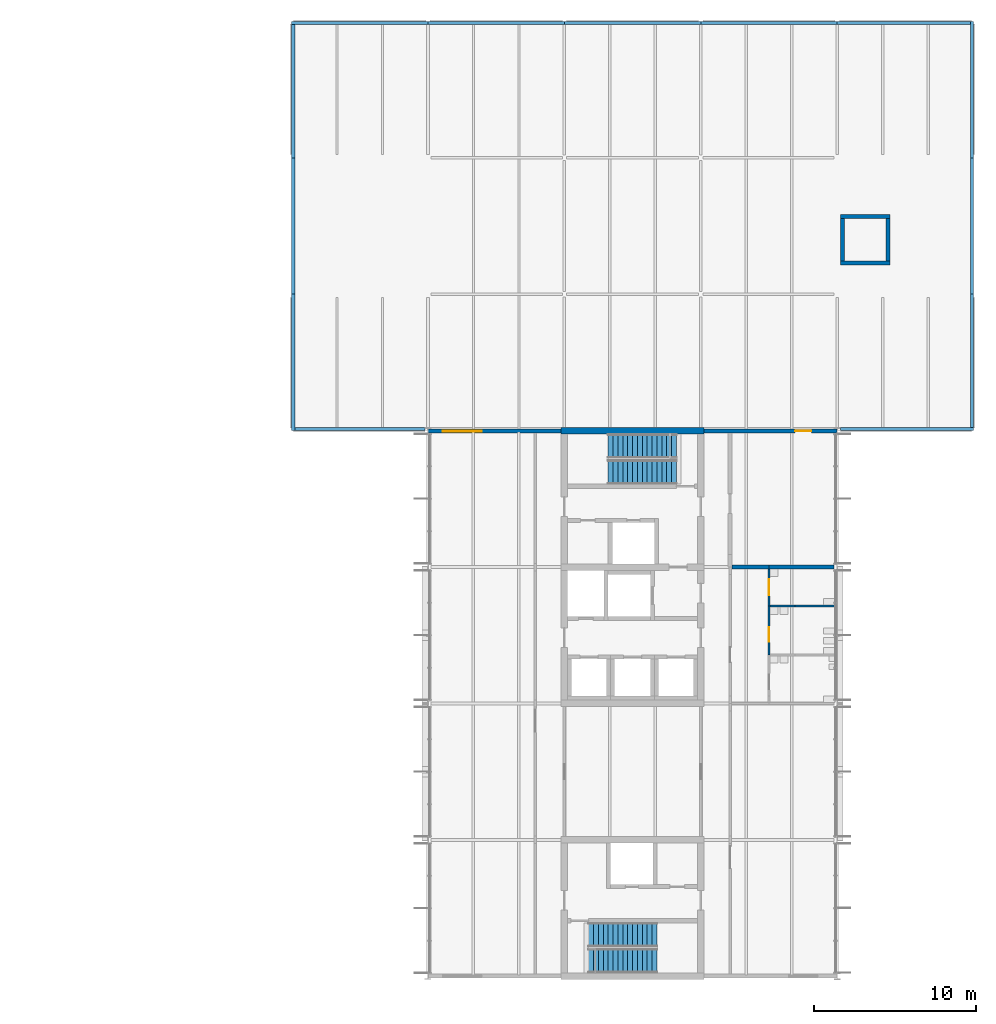
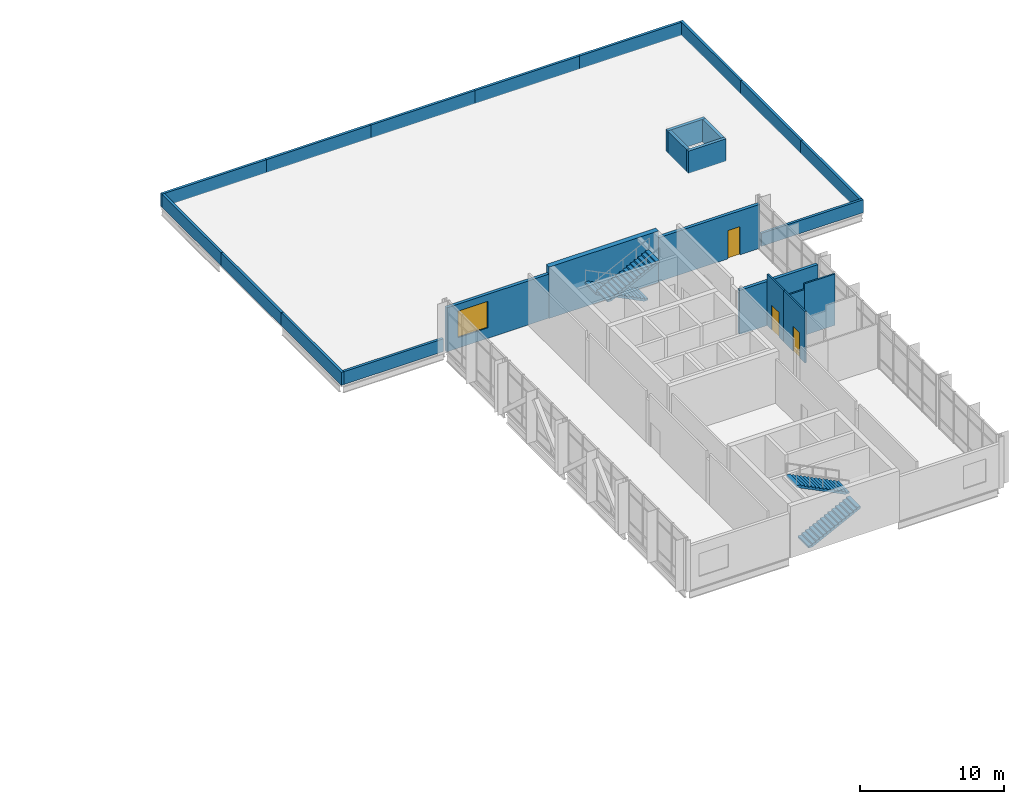
# One storey, part 18 of 26: 26 walls, 4 stair flights, 3 doors, 1 window, 4 openings, 2 elements without a shape of their own.
"""IFC4 building model written with IfcOpenShell, lengths in metres."""

from ifc_helpers import new_model, si_unit, direction, frame, frame_2d, origin, place, context, subcontext, project, spatial, polyline, rectangle, outline, extrude, material, layer, layer_set, type_object, element, fill, aggregate, save


model = new_model("IFC4")

# Units and contexts
model_context = context("Model", 3, precision=1e-05, world=origin(), true_north=direction((0.0, 1.0)))
body_context = subcontext(model_context, "Body", "Model", "MODEL_VIEW")
ifc_project = project(units=[si_unit("LENGTHUNIT", "METRE"), si_unit("AREAUNIT", "SQUARE_METRE"), si_unit("VOLUMEUNIT", "CUBIC_METRE"), si_unit("PLANEANGLEUNIT", "RADIAN"), si_unit("MASSUNIT", "GRAM", prefix="KILO")], contexts=[model_context])

# Site, building, storey
site_placement = place(None, origin())
site = spatial("IfcSite", under=ifc_project, at=site_placement, CompositionType="ELEMENT")
building_placement = place(site_placement, origin())
building = spatial("IfcBuilding", under=site, at=building_placement, Name="Hlaing Beacon Police Headquarters", CompositionType="ELEMENT")
storey_placement = place(building_placement, frame((0.0, 0.0, 23.39990234375)))
storey = spatial("IfcBuildingStorey", under=building, at=storey_placement, Name="L05", CompositionType="ELEMENT", Elevation=23.39990234375)

# Walls
ifc_material_1 = material(Name="Concrete C60/75", Category="concrete")
ifc_layer_1 = layer(ifc_material_1, 0.39990234375)
ifc_layer_set_1 = layer_set([ifc_layer_1], Name="Concrete C60/75")
wall_type_1 = type_object("IfcWallType", Name="Core shear wall 400", PredefinedType="SHEAR", material=ifc_layer_set_1)
wall_1_placement = place(storey_placement, frame((109.0, 67.199951171875, 0.0), z_axis=(0.0, 0.0, 1.0), x_axis=(1.0, 0.0, 0.0)))
element("IfcWall", 1, at=wall_1_placement, inside=storey, type_object=wall_type_1, Name="Core shear wall", PredefinedType="SHEAR", context=body_context, shape_type="SweptSolid", body=[
    extrude(rectangle(XDim=8.800048828125, YDim=0.39990234375, at=frame_2d((4.39990234375, 0.0))), origin(), (0.0, 0.0, 1.0), 4.3701171875),
])
ifc_material_2 = material(Name="Gypsum board partition")
ifc_layer_2 = layer(ifc_material_2, 0.125)
ifc_layer_set_2 = layer_set([ifc_layer_2], Name="Gypsum board partition")
wall_type_2 = type_object("IfcWallType", Name="Partition 125", PredefinedType="PARTITIONING", material=ifc_layer_set_2)
wall_2_placement = place(storey_placement, frame((121.862060546875, 56.39990234375, 0.0), z_axis=(0.0, 0.0, 1.0), x_axis=(1.0, 0.0, 0.0)))
element("IfcWall", 2, at=wall_2_placement, inside=storey, type_object=wall_type_2, Name="Partition 125", PredefinedType="PARTITIONING", context=body_context, shape_type="SweptSolid", body=[
    extrude(rectangle(XDim=1.530029296875, YDim=0.125, at=frame_2d((0.76513671875, 0.0))), origin(), (0.0, 0.0, 1.0), 3.89501953125),
])
wall_3_placement = place(storey_placement, frame((123.39208984375, 56.39990234375, 0.0), z_axis=(0.0, 0.0, 1.0), x_axis=(1.0, 0.0, 0.0)))
element("IfcWall", 3, at=wall_3_placement, inside=storey, type_object=wall_type_2, Name="Partition 125", PredefinedType="PARTITIONING", context=body_context, shape_type="SweptSolid", body=[
    extrude(rectangle(XDim=2.4580078125, YDim=0.125, at=frame_2d((1.22900390625, 0.0))), origin(), (0.0, 0.0, 1.0), 4.3701171875),
])

# Wall, opening, door
wall_4_placement = place(storey_placement, frame((121.800048828125, 56.39990234375, 0.0), z_axis=(0.0, 0.0, 1.0), x_axis=(0.0, 1.0, 0.0)))
wall_4 = element("IfcWall", 4, at=wall_4_placement, inside=storey, type_object=wall_type_2, Name="Partition 125", PredefinedType="PARTITIONING", context=body_context, shape_type="SweptSolid", body=[
    extrude(rectangle(XDim=2.275146484375, YDim=0.125, at=frame_2d((1.1376953125, 0.0))), origin(), (0.0, 0.0, 1.0), 4.3701171875),
])
opening_1_placement = place(wall_4_placement, frame((0.64990234375, 0.0, 0.0)))
opening_1 = element("IfcOpeningElement", 5, at=opening_1_placement, cuts=wall_4, Name="Opening L05-002", PredefinedType="OPENING", context=body_context, shape_type="SweptSolid", body=[
    extrude(rectangle(XDim=1.0, YDim=2.10009765625, at=frame_2d((0.5, 1.050048828125))), frame((0.0, 0.072509765625, 0.0), z_axis=(0.0, -1.0, 0.0), x_axis=(1.0, 0.0, 0.0)), (0.0, 0.0, 1.0), 0.14501953125),
])
ifc_material_3 = material(Name="Hardwood door leaf", Category="wood")
ifc_layer_3 = layer(ifc_material_3, 0.0400390625)
ifc_layer_set_3 = layer_set([ifc_layer_3], Name="Hardwood door leaf")
door_type_1 = type_object("IfcDoorType", Name="Door 1000x2100", OperationType="SINGLE_SWING_LEFT", PredefinedType="DOOR", material=ifc_layer_set_3)
door_1_placement = place(opening_1_placement, frame((1.0, 0.0, 0.0), z_axis=(0.0, 0.0, 1.0), x_axis=(-1.0, 0.0, 0.0)))
door_1 = element("IfcDoor", 6, at=door_1_placement, inside=storey, type_object=door_type_1, Name="Door Accessible WC", OperationType="SINGLE_SWING_LEFT", OverallHeight=2.10009765625, OverallWidth=1.0, PredefinedType="DOOR", context=body_context, shape_type="SweptSolid", body=[
    extrude(rectangle(XDim=1.0, YDim=2.10009765625, at=frame_2d((0.5, 1.050048828125))), frame((0.0, 0.02001953125, 0.0), z_axis=(0.0, -1.0, 0.0), x_axis=(1.0, 0.0, 0.0)), (0.0, 0.0, 1.0), 0.0400390625),
])
fill(opening_1, door_1)

wall_5_placement = place(storey_placement, frame((121.800048828125, 53.39990234375, 0.0), z_axis=(0.0, 0.0, 1.0), x_axis=(0.0, 1.0, 0.0)))
wall_5 = element("IfcWall", 7, at=wall_5_placement, inside=storey, type_object=wall_type_2, Name="Partition 125", PredefinedType="PARTITIONING", context=body_context, shape_type="SweptSolid", body=[
    extrude(rectangle(XDim=3.0, YDim=0.125, at=frame_2d((1.5, 0.0))), origin(), (0.0, 0.0, 1.0), 4.3701171875),
])
opening_2_placement = place(wall_5_placement, frame((0.800048828125, 0.0, 0.0)))
opening_2 = element("IfcOpeningElement", 8, at=opening_2_placement, cuts=wall_5, Name="Opening L05-003", PredefinedType="OPENING", context=body_context, shape_type="SweptSolid", body=[
    extrude(rectangle(XDim=0.89990234375, YDim=2.10009765625, at=frame_2d((0.449951171875, 1.050048828125))), frame((0.0, 0.072509765625, 0.0), z_axis=(0.0, -1.0, 0.0), x_axis=(1.0, 0.0, 0.0)), (0.0, 0.0, 1.0), 0.14501953125),
])
ifc_material_4 = material(Name="Hardwood door leaf", Category="wood")
ifc_layer_4 = layer(ifc_material_4, 0.0400390625)
ifc_layer_set_4 = layer_set([ifc_layer_4], Name="Hardwood door leaf")
door_type_2 = type_object("IfcDoorType", Name="Door 900x2100", OperationType="SINGLE_SWING_LEFT", PredefinedType="DOOR", material=ifc_layer_set_4)
door_2_placement = place(opening_2_placement, frame((0.89990234375, 0.0, 0.0), z_axis=(0.0, 0.0, 1.0), x_axis=(-1.0, 0.0, 0.0)))
door_2 = element("IfcDoor", 9, at=door_2_placement, inside=storey, type_object=door_type_2, Name="Door Female WC", OperationType="SINGLE_SWING_LEFT", OverallHeight=2.10009765625, OverallWidth=0.89990234375, PredefinedType="DOOR", context=body_context, shape_type="SweptSolid", body=[
    extrude(rectangle(XDim=0.89990234375, YDim=2.10009765625, at=frame_2d((0.449951171875, 1.050048828125))), frame((0.0, 0.02001953125, 0.0), z_axis=(0.0, -1.0, 0.0), x_axis=(1.0, 0.0, 0.0)), (0.0, 0.0, 1.0), 0.0400390625),
])
fill(opening_2, door_2)

# Walls
ifc_material_5 = material(Name="Concrete blockwork 7.5 N/mm2", Category="masonry")
ifc_layer_5 = layer(ifc_material_5, 0.25)
ifc_layer_set_5 = layer_set([ifc_layer_5], Name="Concrete blockwork 7.5 N/mm2")
wall_type_3 = type_object("IfcWallType", Name="Plant room wall EI 120 250", PredefinedType="PARTITIONING", material=ifc_layer_set_5)
wall_6_placement = place(storey_placement, frame((121.800048828125, 58.800048828125, 0.0), z_axis=(0.0, 0.0, 1.0), x_axis=(1.0, 0.0, 0.0)))
element("IfcWall", 10, at=wall_6_placement, inside=storey, type_object=wall_type_3, Name="Plant room wall EI 120 250", PredefinedType="PARTITIONING", context=body_context, shape_type="SweptSolid", body=[
    extrude(rectangle(XDim=4.013916015625, YDim=0.25, at=frame_2d((2.0068359375, 0.0))), origin(), (0.0, 0.0, 1.0), 3.74609375),
])
wall_7_placement = place(storey_placement, frame((119.52490234375, 58.800048828125, 0.0), z_axis=(0.0, 0.0, 1.0), x_axis=(1.0, 0.0, 0.0)))
element("IfcWall", 11, at=wall_7_placement, inside=storey, type_object=wall_type_3, Name="Plant room wall EI 120 250", PredefinedType="PARTITIONING", context=body_context, shape_type="SweptSolid", body=[
    extrude(rectangle(XDim=2.275146484375, YDim=0.25, at=frame_2d((1.1376953125, 0.0))), origin(), (0.0, 0.0, 1.0), 3.74609375),
])

# Wall, opening, door
ifc_material_6 = material(Name="Concrete C40/50 precast ribbed cladding", Category="concrete")
ifc_layer_6 = layer(ifc_material_6, 0.25)
ifc_layer_set_6 = layer_set([ifc_layer_6], Name="Concrete C40/50 precast ribbed cladding")
wall_type_4 = type_object("IfcWallType", Name="Precast ribbed wall 250", PredefinedType="SOLIDWALL", material=ifc_layer_set_6)
wall_8_placement = place(storey_placement, frame((125.99658203125, 67.175048828125, 0.0), z_axis=(0.0, 0.0, 1.0), x_axis=(-1.0, 0.0, 0.0)))
wall_8 = element("IfcWall", 12, at=wall_8_placement, inside=storey, type_object=wall_type_4, Name="External wall L05 N015", PredefinedType="SOLIDWALL", context=body_context, shape_type="SweptSolid", body=[
    extrude(rectangle(XDim=8.196533203125, YDim=0.25, at=frame_2d((4.09814453125, 0.0))), origin(), (0.0, 0.0, 1.0), 3.74609375),
])
opening_3_placement = place(wall_8_placement, frame((1.5966796875, 0.0, 0.0)))
opening_3 = element("IfcOpeningElement", 13, at=opening_3_placement, cuts=wall_8, Name="Opening L05-801", PredefinedType="OPENING", context=body_context, shape_type="SweptSolid", body=[
    extrude(rectangle(XDim=1.0, YDim=2.39990234375, at=frame_2d((0.5, 1.199951171875))), frame((0.0, 0.135009765625, 0.0), z_axis=(0.0, -1.0, 0.0), x_axis=(1.0, 0.0, 0.0)), (0.0, 0.0, 1.0), 0.27001953125),
])
ifc_material_7 = material(Name="Steel door", Category="steel")
door_type_3 = type_object("IfcDoorType", Name="Door 1000x2400", OperationType="SINGLE_SWING_LEFT", PredefinedType="DOOR", material=ifc_material_7)
door_3_placement = place(opening_3_placement, frame((1.0, 0.0, 0.0), z_axis=(0.0, 0.0, 1.0), x_axis=(-1.0, 0.0, 0.0)))
door_3 = element("IfcDoor", 14, at=door_3_placement, inside=storey, type_object=door_type_3, Name="Door Operations Plant Room", OperationType="SINGLE_SWING_LEFT", OverallHeight=2.39990234375, OverallWidth=1.0, PredefinedType="DOOR", context=body_context, shape_type="SweptSolid", body=[
    extrude(rectangle(XDim=1.0, YDim=2.39990234375, at=frame_2d((0.5, 1.199951171875))), frame((0.0, 0.025146484375, 0.0), z_axis=(0.0, -1.0, 0.0), x_axis=(1.0, 0.0, 0.0)), (0.0, 0.0, 1.0), 0.050048828125),
])
fill(opening_3, door_3)

# Wall, opening, window
wall_9_placement = place(storey_placement, frame((109.0, 67.175048828125, 0.0), z_axis=(0.0, 0.0, 1.0), x_axis=(-1.0, 0.0, 0.0)))
wall_9 = element("IfcWall", 15, at=wall_9_placement, inside=storey, type_object=wall_type_4, Name="External wall L05 N016", PredefinedType="SOLIDWALL", context=body_context, shape_type="SweptSolid", body=[
    extrude(rectangle(XDim=8.196533203125, YDim=0.25, at=frame_2d((4.09814453125, 0.0))), origin(), (0.0, 0.0, 1.0), 3.74609375),
])
opening_4_placement = place(wall_9_placement, frame((4.89990234375, 0.0, 0.89990234375)))
opening_4 = element("IfcOpeningElement", 16, at=opening_4_placement, cuts=wall_9, Name="Opening WN38", PredefinedType="OPENING", context=body_context, shape_type="SweptSolid", body=[
    extrude(rectangle(XDim=2.39990234375, YDim=2.25, at=frame_2d((1.199951171875, 1.125))), frame((0.0, 0.135009765625, 0.0), z_axis=(0.0, -1.0, 0.0), x_axis=(1.0, 0.0, 0.0)), (0.0, 0.0, 1.0), 0.27001953125),
])
ifc_material_8 = material(Name="Aluminium frame with solar control glazing", Category="aluminium")
window_type = type_object("IfcWindowType", Name="Window 2400x2250 frame 60", PartitioningType="SINGLE_PANEL", PredefinedType="WINDOW", material=ifc_material_8)
window_placement = place(opening_4_placement, origin())
window = element("IfcWindow", 17, at=window_placement, inside=storey, type_object=window_type, Name="Window L05 WA", OverallHeight=2.25, OverallWidth=2.39990234375, PartitioningType="SINGLE_PANEL", PredefinedType="WINDOW", context=body_context, shape_type="SweptSolid", body=[
    extrude(rectangle(XDim=2.39990234375, YDim=2.25, at=frame_2d((1.199951171875, 1.125))), frame((0.0, 0.030029296875, 0.0), z_axis=(0.0, -1.0, 0.0), x_axis=(1.0, 0.0, 0.0)), (0.0, 0.0, 1.0), 0.06005859375),
])
fill(opening_4, window)

# Walls
ifc_material_9 = material(Name="Concrete C40/50", Category="concrete")
ifc_layer_7 = layer(ifc_material_9, 0.199951171875)
ifc_layer_set_7 = layer_set([ifc_layer_7], Name="Concrete C40/50")
wall_type_5 = type_object("IfcWallType", Name="Roof parapet 200", PredefinedType="PARAPET", material=ifc_layer_set_7)
wall_10_placement = place(storey_placement, frame((134.300048828125, 67.39990234375, 0.0), z_axis=(0.0, 0.0, 1.0), x_axis=(0.0, 1.0, 0.0)))
element("IfcWall", 18, at=wall_10_placement, inside=storey, type_object=wall_type_5, Name="Roof parapet V7 0", PredefinedType="PARAPET", context=body_context, shape_type="SweptSolid", body=[
    extrude(rectangle(XDim=8.2001953125, YDim=0.199951171875, at=frame_2d((4.10009765625, 0.0))), origin(), (0.0, 0.0, 1.0), 1.10009765625),
])
for number, where, z_axis, x_axis, name in (
    (19, (134.300048828125, 75.60009765625, 0.0), (0.0, 0.0, 1.0), (0.0, 1.0, 0.0), "Roof parapet V7 1"),
    (20, (134.300048828125, 84.0, 0.0), (0.0, 0.0, 1.0), (0.0, 1.0, 0.0), "Roof parapet V7 2"),
):
    element("IfcWall", number, at=place(storey_placement, frame(where, z_axis=z_axis, x_axis=x_axis)), inside=storey, type_object=wall_type_5, Name=name, PredefinedType="PARAPET", context=body_context, shape_type="SweptSolid", body=[
        extrude(rectangle(XDim=8.39990234375, YDim=0.199951171875, at=frame_2d((4.199951171875, 0.0))), origin(), (0.0, 0.0, 1.0), 1.10009765625),
    ])
wall_11_placement = place(storey_placement, frame((134.199951171875, 92.300048828125, 0.0), z_axis=(0.0, 0.0, 1.0), x_axis=(-1.0, 0.0, 0.0)))
element("IfcWall", 21, at=wall_11_placement, inside=storey, type_object=wall_type_5, Name="Roof parapet V7 3", PredefinedType="PARAPET", context=body_context, shape_type="SweptSolid", body=[
    extrude(rectangle(XDim=8.199951171875, YDim=0.199951171875, at=frame_2d((4.10009765625, 0.0))), origin(), (0.0, 0.0, 1.0), 1.10009765625),
])
wall_12_placement = place(storey_placement, frame((126.0, 92.300048828125, 0.0), z_axis=(0.0, 0.0, 1.0), x_axis=(-1.0, 0.0, 0.0)))
element("IfcWall", 22, at=wall_12_placement, inside=storey, type_object=wall_type_5, Name="Roof parapet V7 4", PredefinedType="PARAPET", context=body_context, shape_type="SweptSolid", body=[
    extrude(rectangle(XDim=8.39990234375, YDim=0.199951171875, at=frame_2d((4.199951171875, 0.0))), origin(), (0.0, 0.0, 1.0), 1.10009765625),
])
wall_13_placement = place(storey_placement, frame((117.60009765625, 92.300048828125, 0.0), z_axis=(0.0, 0.0, 1.0), x_axis=(-1.0, 0.0, 0.0)))
element("IfcWall", 23, at=wall_13_placement, inside=storey, type_object=wall_type_5, Name="Roof parapet V7 5", PredefinedType="PARAPET", context=body_context, shape_type="SweptSolid", body=[
    extrude(rectangle(XDim=8.400146484375, YDim=0.199951171875, at=frame_2d((4.2001953125, 0.0))), origin(), (0.0, 0.0, 1.0), 1.10009765625),
])
wall_14_placement = place(storey_placement, frame((109.199951171875, 92.300048828125, 0.0), z_axis=(0.0, 0.0, 1.0), x_axis=(-1.0, 0.0, 0.0)))
element("IfcWall", 24, at=wall_14_placement, inside=storey, type_object=wall_type_5, Name="Roof parapet V7 6", PredefinedType="PARAPET", context=body_context, shape_type="SweptSolid", body=[
    extrude(rectangle(XDim=8.39990234375, YDim=0.199951171875, at=frame_2d((4.199951171875, 0.0))), origin(), (0.0, 0.0, 1.0), 1.10009765625),
])
wall_15_placement = place(storey_placement, frame((100.800048828125, 92.300048828125, 0.0), z_axis=(0.0, 0.0, 1.0), x_axis=(-1.0, 0.0, 0.0)))
element("IfcWall", 25, at=wall_15_placement, inside=storey, type_object=wall_type_5, Name="Roof parapet V7 7", PredefinedType="PARAPET", context=body_context, shape_type="SweptSolid", body=[
    extrude(rectangle(XDim=8.400146484375, YDim=0.199951171875, at=frame_2d((4.2001953125, 0.0))), origin(), (0.0, 0.0, 1.0), 1.10009765625),
])
wall_16_placement = place(storey_placement, frame((92.5, 92.199951171875, 0.0), z_axis=(0.0, 0.0, 1.0), x_axis=(0.0, -1.0, 0.0)))
element("IfcWall", 26, at=wall_16_placement, inside=storey, type_object=wall_type_5, Name="Roof parapet V7 8", PredefinedType="PARAPET", context=body_context, shape_type="SweptSolid", body=[
    extrude(rectangle(XDim=8.199951171875, YDim=0.199951171875, at=frame_2d((4.10009765625, 0.0))), origin(), (0.0, 0.0, 1.0), 1.10009765625),
])
wall_17_placement = place(storey_placement, frame((92.5, 84.0, 0.0), z_axis=(0.0, 0.0, 1.0), x_axis=(0.0, -1.0, 0.0)))
element("IfcWall", 27, at=wall_17_placement, inside=storey, type_object=wall_type_5, Name="Roof parapet V7 9", PredefinedType="PARAPET", context=body_context, shape_type="SweptSolid", body=[
    extrude(rectangle(XDim=8.39990234375, YDim=0.199951171875, at=frame_2d((4.199951171875, 0.0))), origin(), (0.0, 0.0, 1.0), 1.10009765625),
])
wall_18_placement = place(storey_placement, frame((92.5, 75.60009765625, 0.0), z_axis=(0.0, 0.0, 1.0), x_axis=(0.0, -1.0, 0.0)))
element("IfcWall", 28, at=wall_18_placement, inside=storey, type_object=wall_type_5, Name="Roof parapet V7 10", PredefinedType="PARAPET", context=body_context, shape_type="SweptSolid", body=[
    extrude(rectangle(XDim=8.400146484375, YDim=0.199951171875, at=frame_2d((4.2001953125, 0.0))), origin(), (0.0, 0.0, 1.0), 1.10009765625),
])
wall_19_placement = place(storey_placement, frame((92.60009765625, 67.300048828125, 0.0), z_axis=(0.0, 0.0, 1.0), x_axis=(1.0, 0.0, 0.0)))
element("IfcWall", 29, at=wall_19_placement, inside=storey, type_object=wall_type_5, Name="Roof parapet V7 11", PredefinedType="PARAPET", context=body_context, shape_type="SweptSolid", body=[
    extrude(rectangle(XDim=8.014404296875, YDim=0.199951171875, at=frame_2d((4.00732421875, 0.0))), origin(), (0.0, 0.0, 1.0), 1.10009765625),
])
wall_20_placement = place(storey_placement, frame((126.185302734375, 67.300048828125, 0.0), z_axis=(0.0, 0.0, 1.0), x_axis=(1.0, 0.0, 0.0)))
element("IfcWall", 30, at=wall_20_placement, inside=storey, type_object=wall_type_5, Name="Roof parapet V7 12", PredefinedType="PARAPET", context=body_context, shape_type="SweptSolid", body=[
    extrude(rectangle(XDim=8.214599609375, YDim=0.199951171875, at=frame_2d((4.107421875, 0.0))), origin(), (0.0, 0.0, 1.0), 1.10009765625),
])
ifc_material_10 = material(Name="Concrete C40/50", Category="concrete")
ifc_layer_8 = layer(ifc_material_10, 0.25)
ifc_layer_set_8 = layer_set([ifc_layer_8], Name="Concrete C40/50")
wall_type_6 = type_object("IfcWallType", Name="Shaft wall 250", PredefinedType="SOLIDWALL", material=ifc_layer_set_8)
wall_21_placement = place(storey_placement, frame((129.125, 77.64990234375, 0.0), z_axis=(0.0, 0.0, 1.0), x_axis=(0.0, 1.0, 0.0)))
element("IfcWall", 31, at=wall_21_placement, inside=storey, type_object=wall_type_6, Name="Lift overrun wall", PredefinedType="SOLIDWALL", context=body_context, shape_type="SweptSolid", body=[
    extrude(rectangle(XDim=2.60009765625, YDim=0.25, at=frame_2d((1.300048828125, 0.0))), origin(), (0.0, 0.0, 1.0), 1.900146484375),
])
for number, where, z_axis, x_axis, name in (
    (32, (126.199951171875, 80.375, 0.0), (0.0, 0.0, 1.0), (1.0, 0.0, 0.0), "Lift overrun wall"),
    (33, (126.199951171875, 77.52490234375, 0.0), (0.0, 0.0, 1.0), (1.0, 0.0, 0.0), "Lift overrun wall"),
):
    element("IfcWall", number, at=place(storey_placement, frame(where, z_axis=z_axis, x_axis=x_axis)), inside=storey, type_object=wall_type_6, Name=name, PredefinedType="SOLIDWALL", context=body_context, shape_type="SweptSolid", body=[
        extrude(rectangle(XDim=3.050048828125, YDim=0.25, at=frame_2d((1.52490234375, 0.0))), origin(), (0.0, 0.0, 1.0), 1.900146484375),
    ])
wall_22_placement = place(storey_placement, frame((126.324951171875, 77.64990234375, 0.0), z_axis=(0.0, 0.0, 1.0), x_axis=(0.0, 1.0, 0.0)))
element("IfcWall", 34, at=wall_22_placement, inside=storey, type_object=wall_type_6, Name="Lift overrun wall", PredefinedType="SOLIDWALL", context=body_context, shape_type="SweptSolid", body=[
    extrude(rectangle(XDim=2.60009765625, YDim=0.25, at=frame_2d((1.300048828125, 0.0))), origin(), (0.0, 0.0, 1.0), 1.900146484375),
])

# Stair, stair flights
ifc_material_11 = material(Name="Concrete C40/50", Category="concrete")
stair_type = type_object("IfcStairType", Name="Half-turn stair 1500 wide, 4500 rise", PredefinedType="HALF_TURN_STAIR", material=ifc_material_11)
stair_1_placement = place(storey_placement, origin())
stair_1 = element("IfcStair", 35, at=stair_1_placement, inside=storey, type_object=stair_type, Name="Stair ST-M", PredefinedType="HALF_TURN_STAIR")
ifc_material_12 = material(Name="Concrete C40/50", Category="concrete")
stair_flight_type = type_object("IfcStairFlightType", Name="Stair flight 1500 wide, 15 risers", PredefinedType="STRAIGHT", material=ifc_material_12)
stair_flight_1_placement = place(storey_placement, frame((116.10009765625, 66.25, 0.0), z_axis=(0.0, 0.0, 1.0), x_axis=(-1.0, 0.0, 0.0)))
stair_flight_1 = element("IfcStairFlight", 36, at=stair_flight_1_placement, type_object=stair_flight_type, Name="ST-M flight 1", NumberOfRisers=15, NumberOfTreads=14, PredefinedType="STRAIGHT", RiserHeight=0.15, TreadLength=0.3, context=body_context, shape_type="SweptSolid", body=[
    extrude(outline(polyline([(0.0, 0.0), (0.0, 0.14990234375), (0.300048828125, 0.14990234375), (0.300048828125, 0.300048828125), (0.60009765625, 0.300048828125), (0.60009765625, 0.449951171875), (0.89990234375, 0.449951171875), (0.89990234375, 0.60009765625), (1.199951171875, 0.60009765625), (1.199951171875, 0.75), (1.5, 0.75), (1.5, 0.89990234375), (1.800048828125, 0.89990234375), (1.800048828125, 1.050048828125), (2.10009765625, 1.050048828125), (2.10009765625, 1.199951171875), (2.39990234375, 1.199951171875), (2.39990234375, 1.35009765625), (2.699951171875, 1.35009765625), (2.699951171875, 1.5), (3.0, 1.5), (3.0, 1.64990234375), (3.300048828125, 1.64990234375), (3.300048828125, 1.800048828125), (3.60009765625, 1.800048828125), (3.60009765625, 1.949951171875), (3.89990234375, 1.949951171875), (3.89990234375, 2.10009765625), (4.199951171875, 2.10009765625), (4.199951171875, 2.25), (4.199951171875, 1.932373046875), (0.335205078125, 0.0), (0.0, 0.0)])), frame((0.0, 0.75, 0.0), z_axis=(0.0, -1.0, 0.0), x_axis=(1.0, 0.0, 0.0)), (0.0, 0.0, 1.0), 1.5),
])
stair_flight_2_placement = place(storey_placement, frame((111.89990234375, 64.64990234375, 2.25), z_axis=(0.0, 0.0, 1.0), x_axis=(1.0, 0.0, 0.0)))
stair_flight_2 = element("IfcStairFlight", 37, at=stair_flight_2_placement, type_object=stair_flight_type, Name="ST-M flight 2", NumberOfRisers=15, NumberOfTreads=14, PredefinedType="STRAIGHT", RiserHeight=0.15, TreadLength=0.3, context=body_context, shape_type="SweptSolid", body=[
    extrude(outline(polyline([(0.0, 0.0), (0.0, 0.14990234375), (0.300048828125, 0.14990234375), (0.300048828125, 0.300048828125), (0.60009765625, 0.300048828125), (0.60009765625, 0.449951171875), (0.89990234375, 0.449951171875), (0.89990234375, 0.60009765625), (1.199951171875, 0.60009765625), (1.199951171875, 0.75), (1.5, 0.75), (1.5, 0.89990234375), (1.800048828125, 0.89990234375), (1.800048828125, 1.050048828125), (2.10009765625, 1.050048828125), (2.10009765625, 1.199951171875), (2.39990234375, 1.199951171875), (2.39990234375, 1.35009765625), (2.699951171875, 1.35009765625), (2.699951171875, 1.5), (3.0, 1.5), (3.0, 1.64990234375), (3.300048828125, 1.64990234375), (3.300048828125, 1.800048828125), (3.60009765625, 1.800048828125), (3.60009765625, 1.949951171875), (3.89990234375, 1.949951171875), (3.89990234375, 2.10009765625), (4.199951171875, 2.10009765625), (4.199951171875, 2.25), (4.199951171875, 1.932373046875), (0.335205078125, 0.0), (0.0, 0.0)])), frame((0.0, 0.75, 0.0), z_axis=(0.0, -1.0, 0.0), x_axis=(1.0, 0.0, 0.0)), (0.0, 0.0, 1.0), 1.5),
])
aggregate(stair_1, [stair_flight_1, stair_flight_2])

stair_2_placement = place(storey_placement, origin())
stair_2 = element("IfcStair", 38, at=stair_2_placement, inside=storey, type_object=stair_type, Name="Stair ST-L", PredefinedType="HALF_TURN_STAIR")
stair_flight_3_placement = place(storey_placement, frame((110.699951171875, 34.550048828125, 0.0), z_axis=(0.0, 0.0, 1.0), x_axis=(1.0, 0.0, 0.0)))
stair_flight_3 = element("IfcStairFlight", 39, at=stair_flight_3_placement, type_object=stair_flight_type, Name="ST-L flight 1", NumberOfRisers=15, NumberOfTreads=14, PredefinedType="STRAIGHT", RiserHeight=0.15, TreadLength=0.3, context=body_context, shape_type="SweptSolid", body=[
    extrude(outline(polyline([(0.0, 0.0), (0.0, 0.14990234375), (0.300048828125, 0.14990234375), (0.300048828125, 0.300048828125), (0.60009765625, 0.300048828125), (0.60009765625, 0.449951171875), (0.89990234375, 0.449951171875), (0.89990234375, 0.60009765625), (1.199951171875, 0.60009765625), (1.199951171875, 0.75), (1.5, 0.75), (1.5, 0.89990234375), (1.800048828125, 0.89990234375), (1.800048828125, 1.050048828125), (2.10009765625, 1.050048828125), (2.10009765625, 1.199951171875), (2.39990234375, 1.199951171875), (2.39990234375, 1.35009765625), (2.699951171875, 1.35009765625), (2.699951171875, 1.5), (3.0, 1.5), (3.0, 1.64990234375), (3.300048828125, 1.64990234375), (3.300048828125, 1.800048828125), (3.60009765625, 1.800048828125), (3.60009765625, 1.949951171875), (3.89990234375, 1.949951171875), (3.89990234375, 2.10009765625), (4.199951171875, 2.10009765625), (4.199951171875, 2.25), (4.199951171875, 1.932373046875), (0.335205078125, 0.0), (0.0, 0.0)])), frame((0.0, 0.75, 0.0), z_axis=(0.0, -1.0, 0.0), x_axis=(1.0, 0.0, 0.0)), (0.0, 0.0, 1.0), 1.5),
])
stair_flight_4_placement = place(storey_placement, frame((114.89990234375, 36.14990234375, 2.25), z_axis=(0.0, 0.0, 1.0), x_axis=(-1.0, 0.0, 0.0)))
stair_flight_4 = element("IfcStairFlight", 40, at=stair_flight_4_placement, type_object=stair_flight_type, Name="ST-L flight 2", NumberOfRisers=15, NumberOfTreads=14, PredefinedType="STRAIGHT", RiserHeight=0.15, TreadLength=0.3, context=body_context, shape_type="SweptSolid", body=[
    extrude(outline(polyline([(0.0, 0.0), (0.0, 0.14990234375), (0.300048828125, 0.14990234375), (0.300048828125, 0.300048828125), (0.60009765625, 0.300048828125), (0.60009765625, 0.449951171875), (0.89990234375, 0.449951171875), (0.89990234375, 0.60009765625), (1.199951171875, 0.60009765625), (1.199951171875, 0.75), (1.5, 0.75), (1.5, 0.89990234375), (1.800048828125, 0.89990234375), (1.800048828125, 1.050048828125), (2.10009765625, 1.050048828125), (2.10009765625, 1.199951171875), (2.39990234375, 1.199951171875), (2.39990234375, 1.35009765625), (2.699951171875, 1.35009765625), (2.699951171875, 1.5), (3.0, 1.5), (3.0, 1.64990234375), (3.300048828125, 1.64990234375), (3.300048828125, 1.800048828125), (3.60009765625, 1.800048828125), (3.60009765625, 1.949951171875), (3.89990234375, 1.949951171875), (3.89990234375, 2.10009765625), (4.199951171875, 2.10009765625), (4.199951171875, 2.25), (4.199951171875, 1.932373046875), (0.335205078125, 0.0), (0.0, 0.0)])), frame((0.0, 0.75, 0.0), z_axis=(0.0, -1.0, 0.0), x_axis=(1.0, 0.0, 0.0)), (0.0, 0.0, 1.0), 1.5),
])
aggregate(stair_2, [stair_flight_3, stair_flight_4])

save(model, "model.ifc")
